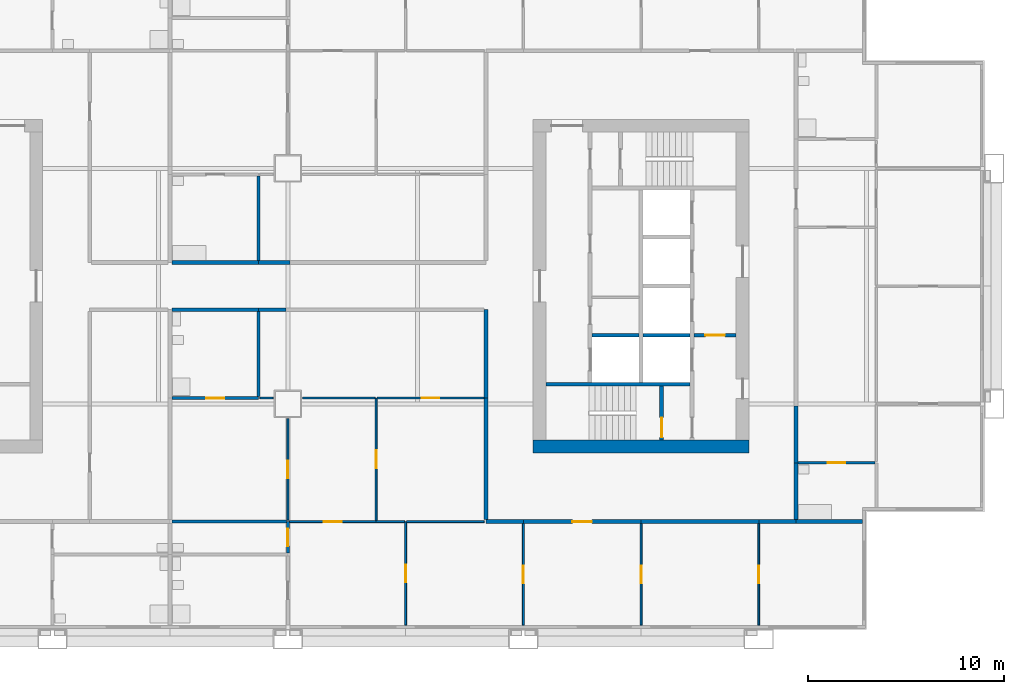
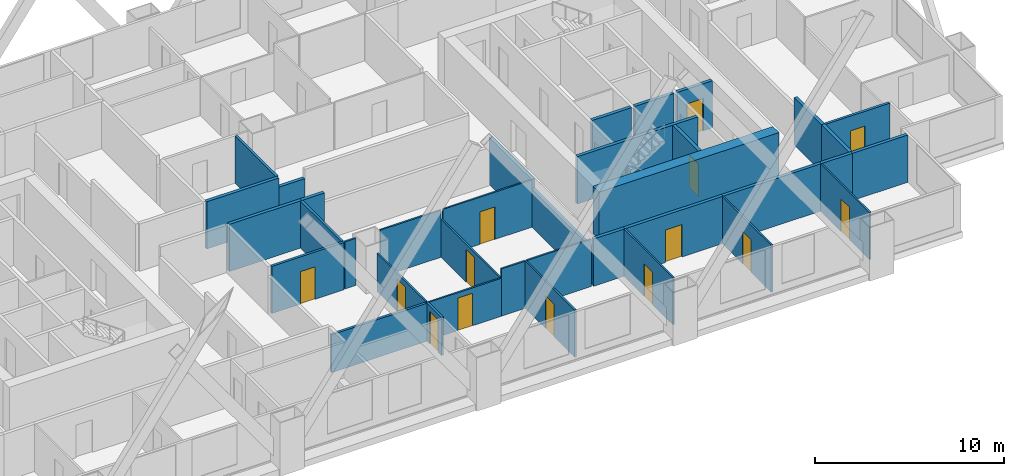
# One storey, part 5 of 11: 37 walls, 14 doors, 14 openings.
"""IFC4 building model written with IfcOpenShell, lengths in metres."""

from ifc_helpers import new_model, si_unit, direction, frame, frame_2d, origin, place, context, subcontext, project, spatial, rectangle, extrude, material, layer, layer_set, type_object, element, fill, save


model = new_model("IFC4")

# Units and contexts
model_context = context("Model", 3, precision=1e-05, world=origin(), true_north=direction((0.0, 1.0)))
body_context = subcontext(model_context, "Body", "Model", "MODEL_VIEW")
ifc_project = project(units=[si_unit("LENGTHUNIT", "METRE"), si_unit("AREAUNIT", "SQUARE_METRE"), si_unit("VOLUMEUNIT", "CUBIC_METRE"), si_unit("PLANEANGLEUNIT", "RADIAN"), si_unit("MASSUNIT", "GRAM", prefix="KILO")], contexts=[model_context])

# Site, building, storey
site_placement = place(None, origin())
site = spatial("IfcSite", under=ifc_project, at=site_placement, CompositionType="ELEMENT")
building_placement = place(site_placement, origin())
building = spatial("IfcBuilding", under=site, at=building_placement, Name="Kitamizu Gate Tower and Museum", CompositionType="ELEMENT")
storey_placement = place(building_placement, frame((0.0, 0.0, 113.85009765625)))
storey = spatial("IfcBuildingStorey", under=building, at=storey_placement, Name="L29", CompositionType="ELEMENT", Elevation=113.85009765625)

# Wall
ifc_material_1 = material(Name="Concrete Fc60", Category="concrete")
ifc_layer_1 = layer(ifc_material_1, 0.64990234375)
ifc_layer_set_1 = layer_set([ifc_layer_1], Name="Concrete Fc60")
wall_type_1 = type_object("IfcWallType", Name="Core wall 650", PredefinedType="SHEAR", material=ifc_layer_set_1)
wall_1_placement = place(storey_placement, frame((59.5, 21.824951171875, 0.0), z_axis=(0.0, 0.0, 1.0), x_axis=(-1.0, 0.0, 0.0)))
element("IfcWall", 1, at=wall_1_placement, inside=storey, type_object=wall_type_1, Name="Core wall ES", PredefinedType="SHEAR", context=body_context, shape_type="SweptSolid", body=[
    extrude(rectangle(XDim=11.0, YDim=0.64990234375, at=frame_2d((5.5, 0.0))), origin(), (0.0, 0.0, 1.0), 3.0498046875),
])

# Wall, opening, door
ifc_material_2 = material(Name="Gypsum board on galvanised stud")
ifc_layer_2 = layer(ifc_material_2, 0.10009765625)
ifc_layer_set_2 = layer_set([ifc_layer_2], Name="Gypsum board on galvanised stud")
wall_type_2 = type_object("IfcWallType", Name="Partition 100 NOT RATED", PredefinedType="PARTITIONING", material=ifc_layer_set_2)
wall_2_placement = place(storey_placement, frame((42.0, 12.719970703125, 0.0), z_axis=(0.0, 0.0, 1.0), x_axis=(0.0, 1.0, 0.0)))
wall_2 = element("IfcWall", 2, at=wall_2_placement, inside=storey, type_object=wall_type_2, Name="Partition L29-044", PredefinedType="PARTITIONING", context=body_context, shape_type="SweptSolid", body=[
    extrude(rectangle(XDim=5.280029296875, YDim=0.10009765625, at=frame_2d((2.64013671875, 0.0))), origin(), (0.0, 0.0, 1.0), 3.0498046875),
])
opening_1_placement = place(wall_2_placement, frame((2.18994140625, 0.0, 0.0)))
opening_1 = element("IfcOpeningElement", 3, at=opening_1_placement, cuts=wall_2, Name="Opening L29-017", PredefinedType="OPENING", context=body_context, shape_type="SweptSolid", body=[
    extrude(rectangle(XDim=0.89990234375, YDim=2.10009765625, at=frame_2d((0.449951171875, 1.050048828125))), frame((0.0, 0.06005859375, 0.0), z_axis=(0.0, -1.0, 0.0), x_axis=(1.0, 0.0, 0.0)), (0.0, 0.0, 1.0), 0.1201171875),
])
ifc_material_3 = material(Name="Timber door set", Category="wood")
door_type_1 = type_object("IfcDoorType", Name="Room door 900", OperationType="NOTDEFINED", PredefinedType="DOOR", material=ifc_material_3)
door_1_placement = place(opening_1_placement, origin())
door_1 = element("IfcDoor", 4, at=door_1_placement, inside=storey, type_object=door_type_1, Name="Door L29-017", OperationType="SINGLE_SWING_LEFT", OverallHeight=2.10009765625, OverallWidth=0.89990234375, PredefinedType="DOOR", context=body_context, shape_type="SweptSolid", body=[
    extrude(rectangle(XDim=0.89990234375, YDim=2.10009765625, at=frame_2d((0.449951171875, 1.050048828125))), frame((0.0, 0.02490234375, 0.0), z_axis=(0.0, -1.0, 0.0), x_axis=(1.0, 0.0, 0.0)), (0.0, 0.0, 1.0), 0.050048828125),
])
fill(opening_1, door_1)

wall_3_placement = place(storey_placement, frame((40.5, 18.0, 0.0), z_axis=(0.0, 0.0, 1.0), x_axis=(-1.0, 0.0, 0.0)))
wall_3 = element("IfcWall", 5, at=wall_3_placement, inside=storey, type_object=wall_type_2, Name="Partition L29-045", PredefinedType="PARTITIONING", context=body_context, shape_type="SweptSolid", body=[
    extrude(rectangle(XDim=4.425048828125, YDim=0.10009765625, at=frame_2d((2.21240234375, 0.0))), origin(), (0.0, 0.0, 1.0), 2.449951171875),
])
opening_2_placement = place(wall_3_placement, frame((1.762451171875, 0.0, 0.0)))
opening_2 = element("IfcOpeningElement", 6, at=opening_2_placement, cuts=wall_3, Name="Opening L29-019", PredefinedType="OPENING", context=body_context, shape_type="SweptSolid", body=[
    extrude(rectangle(XDim=0.89990234375, YDim=2.10009765625, at=frame_2d((0.449951171875, 1.050048828125))), frame((0.0, 0.06005859375, 0.0), z_axis=(0.0, -1.0, 0.0), x_axis=(1.0, 0.0, 0.0)), (0.0, 0.0, 1.0), 0.1201171875),
])
door_2_placement = place(opening_2_placement, frame((0.89990234375, 0.0, 0.0), x_axis=(-1.0, 0.0, 0.0)))
door_2 = element("IfcDoor", 7, at=door_2_placement, inside=storey, type_object=door_type_1, Name="Door L29-019", OperationType="SINGLE_SWING_RIGHT", OverallHeight=2.10009765625, OverallWidth=0.89990234375, PredefinedType="DOOR", context=body_context, shape_type="SweptSolid", body=[
    extrude(rectangle(XDim=0.89990234375, YDim=2.10009765625, at=frame_2d((0.449951171875, 1.050048828125))), frame((0.0, 0.02490234375, 0.0), z_axis=(0.0, -1.0, 0.0), x_axis=(1.0, 0.0, 0.0)), (0.0, 0.0, 1.0), 0.050048828125),
])
fill(opening_2, door_2)

# Wall
wall_4_placement = place(storey_placement, frame((41.949951171875, 18.0, 0.0), z_axis=(0.0, 0.0, 1.0), x_axis=(-1.0, 0.0, 0.0)))
element("IfcWall", 8, at=wall_4_placement, inside=storey, type_object=wall_type_2, Name="Partition L29-046", PredefinedType="PARTITIONING", context=body_context, shape_type="SweptSolid", body=[
    extrude(rectangle(XDim=1.449951171875, YDim=0.10009765625, at=frame_2d((0.72509765625, 0.0))), origin(), (0.0, 0.0, 1.0), 3.0498046875),
])

# Wall, opening, door
wall_5_placement = place(storey_placement, frame((48.0, 12.719970703125, 0.0), z_axis=(0.0, 0.0, 1.0), x_axis=(0.0, 1.0, 0.0)))
wall_5 = element("IfcWall", 9, at=wall_5_placement, inside=storey, type_object=wall_type_2, Name="Partition L29-047", PredefinedType="PARTITIONING", context=body_context, shape_type="SweptSolid", body=[
    extrude(rectangle(XDim=5.179931640625, YDim=0.10009765625, at=frame_2d((2.58984375, 0.0))), origin(), (0.0, 0.0, 1.0), 3.0498046875),
])
opening_3_placement = place(wall_5_placement, frame((2.139892578125, 0.0, 0.0)))
opening_3 = element("IfcOpeningElement", 10, at=opening_3_placement, cuts=wall_5, Name="Opening L29-015", PredefinedType="OPENING", context=body_context, shape_type="SweptSolid", body=[
    extrude(rectangle(XDim=0.89990234375, YDim=2.10009765625, at=frame_2d((0.449951171875, 1.050048828125))), frame((0.0, 0.06005859375, 0.0), z_axis=(0.0, -1.0, 0.0), x_axis=(1.0, 0.0, 0.0)), (0.0, 0.0, 1.0), 0.1201171875),
])
door_3_placement = place(opening_3_placement, origin())
door_3 = element("IfcDoor", 11, at=door_3_placement, inside=storey, type_object=door_type_1, Name="Door L29-015", OperationType="SINGLE_SWING_LEFT", OverallHeight=2.10009765625, OverallWidth=0.89990234375, PredefinedType="DOOR", context=body_context, shape_type="SweptSolid", body=[
    extrude(rectangle(XDim=0.89990234375, YDim=2.10009765625, at=frame_2d((0.449951171875, 1.050048828125))), frame((0.0, 0.02490234375, 0.0), z_axis=(0.0, -1.0, 0.0), x_axis=(1.0, 0.0, 0.0)), (0.0, 0.0, 1.0), 0.050048828125),
])
fill(opening_3, door_3)

# Wall
wall_6_placement = place(storey_placement, frame((46.0, 18.0, 0.0), z_axis=(0.0, 0.0, 1.0), x_axis=(-1.0, 0.0, 0.0)))
element("IfcWall", 12, at=wall_6_placement, inside=storey, type_object=wall_type_2, Name="Partition L29-048", PredefinedType="PARTITIONING", context=body_context, shape_type="SweptSolid", body=[
    extrude(rectangle(XDim=3.949951171875, YDim=0.10009765625, at=frame_2d((1.97509765625, 0.0))), origin(), (0.0, 0.0, 1.0), 3.0498046875),
])

# Wall, opening, door
wall_7_placement = place(storey_placement, frame((54.0, 12.719970703125, 0.0), z_axis=(0.0, 0.0, 1.0), x_axis=(0.0, 1.0, 0.0)))
wall_7 = element("IfcWall", 13, at=wall_7_placement, inside=storey, type_object=wall_type_2, Name="Partition L29-050", PredefinedType="PARTITIONING", context=body_context, shape_type="SweptSolid", body=[
    extrude(rectangle(XDim=5.179931640625, YDim=0.10009765625, at=frame_2d((2.58984375, 0.0))), origin(), (0.0, 0.0, 1.0), 3.0498046875),
])
opening_4_placement = place(wall_7_placement, frame((2.139892578125, 0.0, 0.0)))
opening_4 = element("IfcOpeningElement", 14, at=opening_4_placement, cuts=wall_7, Name="Opening L29-016", PredefinedType="OPENING", context=body_context, shape_type="SweptSolid", body=[
    extrude(rectangle(XDim=0.89990234375, YDim=2.10009765625, at=frame_2d((0.449951171875, 1.050048828125))), frame((0.0, 0.06005859375, 0.0), z_axis=(0.0, -1.0, 0.0), x_axis=(1.0, 0.0, 0.0)), (0.0, 0.0, 1.0), 0.1201171875),
])
door_4_placement = place(opening_4_placement, frame((0.89990234375, 0.0, 0.0), x_axis=(-1.0, 0.0, 0.0)))
door_4 = element("IfcDoor", 15, at=door_4_placement, inside=storey, type_object=door_type_1, Name="Door L29-016", OperationType="SINGLE_SWING_LEFT", OverallHeight=2.10009765625, OverallWidth=0.89990234375, PredefinedType="DOOR", context=body_context, shape_type="SweptSolid", body=[
    extrude(rectangle(XDim=0.89990234375, YDim=2.10009765625, at=frame_2d((0.449951171875, 1.050048828125))), frame((0.0, 0.02490234375, 0.0), z_axis=(0.0, -1.0, 0.0), x_axis=(1.0, 0.0, 0.0)), (0.0, 0.0, 1.0), 0.050048828125),
])
fill(opening_4, door_4)

wall_8_placement = place(storey_placement, frame((60.0, 12.719970703125, 0.0), z_axis=(0.0, 0.0, 1.0), x_axis=(0.0, 1.0, 0.0)))
wall_8 = element("IfcWall", 16, at=wall_8_placement, inside=storey, type_object=wall_type_2, Name="Partition L29-052", PredefinedType="PARTITIONING", context=body_context, shape_type="SweptSolid", body=[
    extrude(rectangle(XDim=5.179931640625, YDim=0.10009765625, at=frame_2d((2.58984375, 0.0))), origin(), (0.0, 0.0, 1.0), 3.0498046875),
])
opening_5_placement = place(wall_8_placement, frame((2.139892578125, 0.0, 0.0)))
opening_5 = element("IfcOpeningElement", 17, at=opening_5_placement, cuts=wall_8, Name="Opening L29-018", PredefinedType="OPENING", context=body_context, shape_type="SweptSolid", body=[
    extrude(rectangle(XDim=0.89990234375, YDim=2.10009765625, at=frame_2d((0.449951171875, 1.050048828125))), frame((0.0, 0.06005859375, 0.0), z_axis=(0.0, -1.0, 0.0), x_axis=(1.0, 0.0, 0.0)), (0.0, 0.0, 1.0), 0.1201171875),
])
door_5_placement = place(opening_5_placement, frame((0.89990234375, 0.0, 0.0), x_axis=(-1.0, 0.0, 0.0)))
door_5 = element("IfcDoor", 18, at=door_5_placement, inside=storey, type_object=door_type_1, Name="Door L29-018", OperationType="SINGLE_SWING_LEFT", OverallHeight=2.10009765625, OverallWidth=0.89990234375, PredefinedType="DOOR", context=body_context, shape_type="SweptSolid", body=[
    extrude(rectangle(XDim=0.89990234375, YDim=2.10009765625, at=frame_2d((0.449951171875, 1.050048828125))), frame((0.0, 0.02490234375, 0.0), z_axis=(0.0, -1.0, 0.0), x_axis=(1.0, 0.0, 0.0)), (0.0, 0.0, 1.0), 0.050048828125),
])
fill(opening_5, door_5)

wall_9_placement = place(storey_placement, frame((36.0, 18.074951171875, 0.0), z_axis=(0.0, 0.0, 1.0), x_axis=(0.0, 1.0, 0.0)))
wall_9 = element("IfcWall", 19, at=wall_9_placement, inside=storey, type_object=wall_type_2, Name="Partition L29-056", PredefinedType="PARTITIONING", context=body_context, shape_type="SweptSolid", body=[
    extrude(rectangle(XDim=5.175048828125, YDim=0.10009765625, at=frame_2d((2.58740234375, 0.0))), origin(), (0.0, 0.0, 1.0), 2.449951171875),
])
opening_6_placement = place(wall_9_placement, frame((2.137451171875, 0.0, 0.0)))
opening_6 = element("IfcOpeningElement", 20, at=opening_6_placement, cuts=wall_9, Name="Opening L29-024", PredefinedType="OPENING", context=body_context, shape_type="SweptSolid", body=[
    extrude(rectangle(XDim=0.89990234375, YDim=2.10009765625, at=frame_2d((0.449951171875, 1.050048828125))), frame((0.0, 0.06005859375, 0.0), z_axis=(0.0, -1.0, 0.0), x_axis=(1.0, 0.0, 0.0)), (0.0, 0.0, 1.0), 0.1201171875),
])
door_6_placement = place(opening_6_placement, frame((0.89990234375, 0.0, 0.0), x_axis=(-1.0, 0.0, 0.0)))
door_6 = element("IfcDoor", 21, at=door_6_placement, inside=storey, type_object=door_type_1, Name="Door L29-024", OperationType="SINGLE_SWING_LEFT", OverallHeight=2.10009765625, OverallWidth=0.89990234375, PredefinedType="DOOR", context=body_context, shape_type="SweptSolid", body=[
    extrude(rectangle(XDim=0.89990234375, YDim=2.10009765625, at=frame_2d((0.449951171875, 1.050048828125))), frame((0.0, 0.02490234375, 0.0), z_axis=(0.0, -1.0, 0.0), x_axis=(1.0, 0.0, 0.0)), (0.0, 0.0, 1.0), 0.050048828125),
])
fill(opening_6, door_6)

# Wall
wall_10_placement = place(storey_placement, frame((35.25, 24.300048828125, 0.0), z_axis=(0.0, 0.0, 1.0), x_axis=(-1.0, 0.0, 0.0)))
element("IfcWall", 22, at=wall_10_placement, inside=storey, type_object=wall_type_2, Name="Partition L29-058", PredefinedType="PARTITIONING", context=body_context, shape_type="SweptSolid", body=[
    extrude(rectangle(XDim=0.675048828125, YDim=0.10009765625, at=frame_2d((0.33740234375, 0.0))), origin(), (0.0, 0.0, 1.0), 3.0498046875),
])

# Wall, opening, door
wall_11_placement = place(storey_placement, frame((40.5, 18.050048828125, 0.0), z_axis=(0.0, 0.0, 1.0), x_axis=(0.0, 1.0, 0.0)))
wall_11 = element("IfcWall", 23, at=wall_11_placement, inside=storey, type_object=wall_type_2, Name="Partition L29-059", PredefinedType="PARTITIONING", context=body_context, shape_type="SweptSolid", body=[
    extrude(rectangle(XDim=6.25, YDim=0.10009765625, at=frame_2d((3.125, 0.0))), origin(), (0.0, 0.0, 1.0), 2.449951171875),
])
opening_7_placement = place(wall_11_placement, frame((2.675048828125, 0.0, 0.0)))
opening_7 = element("IfcOpeningElement", 24, at=opening_7_placement, cuts=wall_11, Name="Opening L29-020", PredefinedType="OPENING", context=body_context, shape_type="SweptSolid", body=[
    extrude(rectangle(XDim=0.89990234375, YDim=2.10009765625, at=frame_2d((0.449951171875, 1.050048828125))), frame((0.0, 0.06005859375, 0.0), z_axis=(0.0, -1.0, 0.0), x_axis=(1.0, 0.0, 0.0)), (0.0, 0.0, 1.0), 0.1201171875),
])
door_7_placement = place(opening_7_placement, origin())
door_7 = element("IfcDoor", 25, at=door_7_placement, inside=storey, type_object=door_type_1, Name="Door L29-020", OperationType="SINGLE_SWING_RIGHT", OverallHeight=2.10009765625, OverallWidth=0.89990234375, PredefinedType="DOOR", context=body_context, shape_type="SweptSolid", body=[
    extrude(rectangle(XDim=0.89990234375, YDim=2.10009765625, at=frame_2d((0.449951171875, 1.050048828125))), frame((0.0, 0.02490234375, 0.0), z_axis=(0.0, -1.0, 0.0), x_axis=(1.0, 0.0, 0.0)), (0.0, 0.0, 1.0), 0.050048828125),
])
fill(opening_7, door_7)

# Wall
wall_12_placement = place(storey_placement, frame((40.449951171875, 24.300048828125, 0.0), z_axis=(0.0, 0.0, 1.0), x_axis=(-1.0, 0.0, 0.0)))
element("IfcWall", 26, at=wall_12_placement, inside=storey, type_object=wall_type_2, Name="Partition L29-060", PredefinedType="PARTITIONING", context=body_context, shape_type="SweptSolid", body=[
    extrude(rectangle(XDim=3.699951171875, YDim=0.10009765625, at=frame_2d((1.85009765625, 0.0))), origin(), (0.0, 0.0, 1.0), 3.0498046875),
])

# Wall, opening, door
wall_13_placement = place(storey_placement, frame((46.0, 24.300048828125, 0.0), z_axis=(0.0, 0.0, 1.0), x_axis=(-1.0, 0.0, 0.0)))
wall_13 = element("IfcWall", 27, at=wall_13_placement, inside=storey, type_object=wall_type_2, Name="Partition L29-061", PredefinedType="PARTITIONING", context=body_context, shape_type="SweptSolid", body=[
    extrude(rectangle(XDim=5.449951171875, YDim=0.10009765625, at=frame_2d((2.72509765625, 0.0))), origin(), (0.0, 0.0, 1.0), 3.0498046875),
])
opening_8_placement = place(wall_13_placement, frame((2.27490234375, 0.0, 0.0)))
opening_8 = element("IfcOpeningElement", 28, at=opening_8_placement, cuts=wall_13, Name="Opening L29-021", PredefinedType="OPENING", context=body_context, shape_type="SweptSolid", body=[
    extrude(rectangle(XDim=0.89990234375, YDim=2.10009765625, at=frame_2d((0.449951171875, 1.050048828125))), frame((0.0, 0.06005859375, 0.0), z_axis=(0.0, -1.0, 0.0), x_axis=(1.0, 0.0, 0.0)), (0.0, 0.0, 1.0), 0.1201171875),
])
door_8_placement = place(opening_8_placement, origin())
door_8 = element("IfcDoor", 29, at=door_8_placement, inside=storey, type_object=door_type_1, Name="Door L29-021", OperationType="SINGLE_SWING_LEFT", OverallHeight=2.10009765625, OverallWidth=0.89990234375, PredefinedType="DOOR", context=body_context, shape_type="SweptSolid", body=[
    extrude(rectangle(XDim=0.89990234375, YDim=2.10009765625, at=frame_2d((0.449951171875, 1.050048828125))), frame((0.0, 0.02490234375, 0.0), z_axis=(0.0, -1.0, 0.0), x_axis=(1.0, 0.0, 0.0)), (0.0, 0.0, 1.0), 0.050048828125),
])
fill(opening_8, door_8)

ifc_material_4 = material(Name="Gypsum board on galvanised stud")
ifc_layer_3 = layer(ifc_material_4, 0.14990234375)
ifc_layer_set_3 = layer_set([ifc_layer_3], Name="Gypsum board on galvanised stud")
wall_type_3 = type_object("IfcWallType", Name="Partition 150", PredefinedType="PARTITIONING", material=ifc_layer_set_3)
wall_14_placement = place(storey_placement, frame((36.0, 16.39501953125, 0.0), z_axis=(0.0, 0.0, 1.0), x_axis=(0.0, 1.0, 0.0)))
wall_14 = element("IfcWall", 30, at=wall_14_placement, inside=storey, type_object=wall_type_3, Name="Partition L29-042", PredefinedType="PARTITIONING", context=body_context, shape_type="SweptSolid", body=[
    extrude(rectangle(XDim=1.60498046875, YDim=0.14990234375, at=frame_2d((0.802490234375, 0.0))), origin(), (0.0, 0.0, 1.0), 2.449951171875),
])
opening_9_placement = place(wall_14_placement, frame((0.3525390625, 0.0, 0.0)))
opening_9 = element("IfcOpeningElement", 31, at=opening_9_placement, cuts=wall_14, Name="Opening L29-023", PredefinedType="OPENING", context=body_context, shape_type="SweptSolid", body=[
    extrude(rectangle(XDim=0.89990234375, YDim=2.10009765625, at=frame_2d((0.449951171875, 1.050048828125))), frame((0.0, 0.0849609375, 0.0), z_axis=(0.0, -1.0, 0.0), x_axis=(1.0, 0.0, 0.0)), (0.0, 0.0, 1.0), 0.169921875),
])
ifc_material_5 = material(Name="Timber door set", Category="wood")
door_type_2 = type_object("IfcDoorType", Name="Bathroom door 900", OperationType="NOTDEFINED", PredefinedType="DOOR", material=ifc_material_5)
door_9_placement = place(opening_9_placement, origin())
door_9 = element("IfcDoor", 32, at=door_9_placement, inside=storey, type_object=door_type_2, Name="Bathroom door L29-023", OperationType="SINGLE_SWING_LEFT", OverallHeight=2.10009765625, OverallWidth=0.89990234375, PredefinedType="DOOR", context=body_context, shape_type="SweptSolid", body=[
    extrude(rectangle(XDim=0.89990234375, YDim=2.10009765625, at=frame_2d((0.449951171875, 1.050048828125))), frame((0.0, 0.02490234375, 0.0), z_axis=(0.0, -1.0, 0.0), x_axis=(1.0, 0.0, 0.0)), (0.0, 0.0, 1.0), 0.050048828125),
])
fill(opening_9, door_9)

# Wall
wall_15_placement = place(storey_placement, frame((35.925048828125, 18.0, 0.0), z_axis=(0.0, 0.0, 1.0), x_axis=(-1.0, 0.0, 0.0)))
element("IfcWall", 33, at=wall_15_placement, inside=storey, type_object=wall_type_3, Name="Partition L29-043", PredefinedType="PARTITIONING", context=body_context, shape_type="SweptSolid", body=[
    extrude(rectangle(XDim=5.824951171875, YDim=0.14990234375, at=frame_2d((2.91259765625, 0.0))), origin(), (0.0, 0.0, 1.0), 2.449951171875),
])

# Wall, opening, door
wall_16_placement = place(storey_placement, frame((34.5, 24.300048828125, 0.0), z_axis=(0.0, 0.0, 1.0), x_axis=(-1.0, 0.0, 0.0)))
wall_16 = element("IfcWall", 34, at=wall_16_placement, inside=storey, type_object=wall_type_3, Name="Partition L29-057", PredefinedType="PARTITIONING", context=body_context, shape_type="SweptSolid", body=[
    extrude(rectangle(XDim=4.39990234375, YDim=0.14990234375, at=frame_2d((2.199951171875, 0.0))), origin(), (0.0, 0.0, 1.0), 3.0498046875),
])
opening_10_placement = place(wall_16_placement, frame((1.75, 0.0, 0.0)))
opening_10 = element("IfcOpeningElement", 35, at=opening_10_placement, cuts=wall_16, Name="Opening L29-025", PredefinedType="OPENING", context=body_context, shape_type="SweptSolid", body=[
    extrude(rectangle(XDim=0.89990234375, YDim=2.10009765625, at=frame_2d((0.449951171875, 1.050048828125))), frame((0.0, 0.0849609375, 0.0), z_axis=(0.0, -1.0, 0.0), x_axis=(1.0, 0.0, 0.0)), (0.0, 0.0, 1.0), 0.169921875),
])
door_10_placement = place(opening_10_placement, frame((0.89990234375, 0.0, 0.0), x_axis=(-1.0, 0.0, 0.0)))
door_10 = element("IfcDoor", 36, at=door_10_placement, inside=storey, type_object=door_type_2, Name="Bathroom door L29-025", OperationType="SINGLE_SWING_RIGHT", OverallHeight=2.10009765625, OverallWidth=0.89990234375, PredefinedType="DOOR", context=body_context, shape_type="SweptSolid", body=[
    extrude(rectangle(XDim=0.89990234375, YDim=2.10009765625, at=frame_2d((0.449951171875, 1.050048828125))), frame((0.0, 0.02490234375, 0.0), z_axis=(0.0, -1.0, 0.0), x_axis=(1.0, 0.0, 0.0)), (0.0, 0.0, 1.0), 0.050048828125),
])
fill(opening_10, door_10)

# Wall
wall_17_placement = place(storey_placement, frame((34.5, 24.375, 0.0), z_axis=(0.0, 0.0, 1.0), x_axis=(0.0, 1.0, 0.0)))
element("IfcWall", 37, at=wall_17_placement, inside=storey, type_object=wall_type_3, Name="Partition L29-063", PredefinedType="PARTITIONING", context=body_context, shape_type="SweptSolid", body=[
    extrude(rectangle(XDim=4.324951171875, YDim=0.14990234375, at=frame_2d((2.16259765625, 0.0))), origin(), (0.0, 0.0, 1.0), 3.0498046875),
])

# Wall, opening, door
wall_18_placement = place(storey_placement, frame((65.925048828125, 21.0, 0.0), z_axis=(0.0, 0.0, 1.0), x_axis=(-1.0, 0.0, 0.0)))
wall_18 = element("IfcWall", 38, at=wall_18_placement, inside=storey, type_object=wall_type_3, Name="Partition L29-078", PredefinedType="PARTITIONING", context=body_context, shape_type="SweptSolid", body=[
    extrude(rectangle(XDim=3.925048828125, YDim=0.14990234375, at=frame_2d((1.96240234375, 0.0))), origin(), (0.0, 0.0, 1.0), 3.0498046875),
])
opening_11_placement = place(wall_18_placement, frame((1.512451171875, 0.0, 0.0)))
opening_11 = element("IfcOpeningElement", 39, at=opening_11_placement, cuts=wall_18, Name="Opening L29-033", PredefinedType="OPENING", context=body_context, shape_type="SweptSolid", body=[
    extrude(rectangle(XDim=0.89990234375, YDim=2.10009765625, at=frame_2d((0.449951171875, 1.050048828125))), frame((0.0, 0.0849609375, 0.0), z_axis=(0.0, -1.0, 0.0), x_axis=(1.0, 0.0, 0.0)), (0.0, 0.0, 1.0), 0.169921875),
])
door_11_placement = place(opening_11_placement, origin())
door_11 = element("IfcDoor", 40, at=door_11_placement, inside=storey, type_object=door_type_2, Name="Bathroom door L29-033", OperationType="SINGLE_SWING_RIGHT", OverallHeight=2.10009765625, OverallWidth=0.89990234375, PredefinedType="DOOR", context=body_context, shape_type="SweptSolid", body=[
    extrude(rectangle(XDim=0.89990234375, YDim=2.10009765625, at=frame_2d((0.449951171875, 1.050048828125))), frame((0.0, 0.02490234375, 0.0), z_axis=(0.0, -1.0, 0.0), x_axis=(1.0, 0.0, 0.0)), (0.0, 0.0, 1.0), 0.050048828125),
])
fill(opening_11, door_11)

# Walls
wall_19_placement = place(storey_placement, frame((34.5, 31.300048828125, 0.0), z_axis=(0.0, 0.0, 1.0), x_axis=(0.0, 1.0, 0.0)))
element("IfcWall", 41, at=wall_19_placement, inside=storey, type_object=wall_type_3, Name="Partition L29-131", PredefinedType="PARTITIONING", context=body_context, shape_type="SweptSolid", body=[
    extrude(rectangle(XDim=4.324951171875, YDim=0.14990234375, at=frame_2d((2.16259765625, 0.0))), origin(), (0.0, 0.0, 1.0), 3.0498046875),
])
ifc_material_6 = material(Name="Gypsum board on galvanised stud")
ifc_layer_4 = layer(ifc_material_6, 0.199951171875)
ifc_layer_set_4 = layer_set([ifc_layer_4], Name="Gypsum board on galvanised stud")
wall_type_4 = type_object("IfcWallType", Name="Partition 200", PredefinedType="PARTITIONING", material=ifc_layer_set_4)
wall_20_placement = place(storey_placement, frame((48.0, 18.0, 0.0), z_axis=(0.0, 0.0, 1.0), x_axis=(-1.0, 0.0, 0.0)))
element("IfcWall", 42, at=wall_20_placement, inside=storey, type_object=wall_type_4, Name="Partition L29-049", PredefinedType="PARTITIONING", context=body_context, shape_type="SweptSolid", body=[
    extrude(rectangle(XDim=1.89990234375, YDim=0.199951171875, at=frame_2d((0.949951171875, 0.0))), origin(), (0.0, 0.0, 1.0), 3.0498046875),
])

# Wall, opening, door
wall_21_placement = place(storey_placement, frame((54.0, 18.0, 0.0), z_axis=(0.0, 0.0, 1.0), x_axis=(-1.0, 0.0, 0.0)))
wall_21 = element("IfcWall", 43, at=wall_21_placement, inside=storey, type_object=wall_type_4, Name="Partition L29-051", PredefinedType="PARTITIONING", context=body_context, shape_type="SweptSolid", body=[
    extrude(rectangle(XDim=6.0, YDim=0.199951171875, at=frame_2d((3.0, 0.0))), origin(), (0.0, 0.0, 1.0), 3.0498046875),
])
opening_12_placement = place(wall_21_placement, frame((2.5, 0.0, 0.0)))
opening_12 = element("IfcOpeningElement", 44, at=opening_12_placement, cuts=wall_21, Name="Opening L29-014", PredefinedType="OPENING", context=body_context, shape_type="SweptSolid", body=[
    extrude(rectangle(XDim=1.0, YDim=2.10009765625, at=frame_2d((0.5, 1.050048828125))), frame((0.0, 0.10986328125, 0.0), z_axis=(0.0, -1.0, 0.0), x_axis=(1.0, 0.0, 0.0)), (0.0, 0.0, 1.0), 0.219970703125),
])
ifc_material_7 = material(Name="Timber door set", Category="wood")
door_type_3 = type_object("IfcDoorType", Name="Flat entrance door 1000", OperationType="NOTDEFINED", PredefinedType="DOOR", material=ifc_material_7)
door_12_placement = place(opening_12_placement, origin())
door_12 = element("IfcDoor", 45, at=door_12_placement, inside=storey, type_object=door_type_3, Name="Flat entrance door L29-014", OperationType="SINGLE_SWING_RIGHT", OverallHeight=2.10009765625, OverallWidth=1.0, PredefinedType="DOOR", context=body_context, shape_type="SweptSolid", body=[
    extrude(rectangle(XDim=1.0, YDim=2.10009765625, at=frame_2d((0.5, 1.050048828125))), frame((0.0, 0.02490234375, 0.0), z_axis=(0.0, -1.0, 0.0), x_axis=(1.0, 0.0, 0.0)), (0.0, 0.0, 1.0), 0.050048828125),
])
fill(opening_12, door_12)

# Walls
wall_22_placement = place(storey_placement, frame((60.0, 18.0, 0.0), z_axis=(0.0, 0.0, 1.0), x_axis=(-1.0, 0.0, 0.0)))
element("IfcWall", 46, at=wall_22_placement, inside=storey, type_object=wall_type_4, Name="Partition L29-053", PredefinedType="PARTITIONING", context=body_context, shape_type="SweptSolid", body=[
    extrude(rectangle(XDim=6.0, YDim=0.199951171875, at=frame_2d((3.0, 0.0))), origin(), (0.0, 0.0, 1.0), 3.0498046875),
])
wall_23_placement = place(storey_placement, frame((65.280029296875, 18.0, 0.0), z_axis=(0.0, 0.0, 1.0), x_axis=(-1.0, 0.0, 0.0)))
element("IfcWall", 47, at=wall_23_placement, inside=storey, type_object=wall_type_4, Name="Partition L29-054", PredefinedType="PARTITIONING", context=body_context, shape_type="SweptSolid", body=[
    extrude(rectangle(XDim=3.380126953125, YDim=0.199951171875, at=frame_2d((1.68994140625, 0.0))), origin(), (0.0, 0.0, 1.0), 3.0498046875),
])
wall_24_placement = place(storey_placement, frame((61.89990234375, 18.0, 0.0), z_axis=(0.0, 0.0, 1.0), x_axis=(-1.0, 0.0, 0.0)))
element("IfcWall", 48, at=wall_24_placement, inside=storey, type_object=wall_type_4, Name="Partition L29-055", PredefinedType="PARTITIONING", context=body_context, shape_type="SweptSolid", body=[
    extrude(rectangle(XDim=1.89990234375, YDim=0.199951171875, at=frame_2d((0.949951171875, 0.0))), origin(), (0.0, 0.0, 1.0), 3.0498046875),
])
wall_25_placement = place(storey_placement, frame((46.10009765625, 18.10009765625, 0.0), z_axis=(0.0, 0.0, 1.0), x_axis=(0.0, 1.0, 0.0)))
element("IfcWall", 49, at=wall_25_placement, inside=storey, type_object=wall_type_4, Name="Partition L29-062", PredefinedType="PARTITIONING", context=body_context, shape_type="SweptSolid", body=[
    extrude(rectangle(XDim=6.199951171875, YDim=0.199951171875, at=frame_2d((3.10009765625, 0.0))), origin(), (0.0, 0.0, 1.0), 2.449951171875),
])
wall_26_placement = place(storey_placement, frame((34.5, 28.800048828125, 0.0), z_axis=(0.0, 0.0, 1.0), x_axis=(-1.0, 0.0, 0.0)))
element("IfcWall", 50, at=wall_26_placement, inside=storey, type_object=wall_type_4, Name="Partition L29-064", PredefinedType="PARTITIONING", context=body_context, shape_type="SweptSolid", body=[
    extrude(rectangle(XDim=4.39990234375, YDim=0.199951171875, at=frame_2d((2.199951171875, 0.0))), origin(), (0.0, 0.0, 1.0), 3.0498046875),
])
wall_27_placement = place(storey_placement, frame((46.10009765625, 24.300048828125, 0.0), z_axis=(0.0, 0.0, 1.0), x_axis=(0.0, 1.0, 0.0)))
element("IfcWall", 51, at=wall_27_placement, inside=storey, type_object=wall_type_4, Name="Partition L29-065", PredefinedType="PARTITIONING", context=body_context, shape_type="SweptSolid", body=[
    extrude(rectangle(XDim=4.5, YDim=0.199951171875, at=frame_2d((2.25, 0.0))), origin(), (0.0, 0.0, 1.0), 3.0498046875),
])
wall_28_placement = place(storey_placement, frame((35.89990234375, 28.800048828125, 0.0), z_axis=(0.0, 0.0, 1.0), x_axis=(-1.0, 0.0, 0.0)))
element("IfcWall", 52, at=wall_28_placement, inside=storey, type_object=wall_type_4, Name="Partition L29-067", PredefinedType="PARTITIONING", context=body_context, shape_type="SweptSolid", body=[
    extrude(rectangle(XDim=1.39990234375, YDim=0.199951171875, at=frame_2d((0.699951171875, 0.0))), origin(), (0.0, 0.0, 1.0), 3.0498046875),
])
for number, where, z_axis, x_axis, name in (
    (53, (61.89990234375, 21.0, 0.0), (0.0, 0.0, 1.0), (0.0, -1.0, 0.0), "Partition L29-079"),
    (54, (61.89990234375, 23.89990234375, 0.0), (0.0, 0.0, 1.0), (0.0, -1.0, 0.0), "Partition L29-082"),
):
    element("IfcWall", number, at=place(storey_placement, frame(where, z_axis=z_axis, x_axis=x_axis)), inside=storey, type_object=wall_type_4, Name=name, PredefinedType="PARTITIONING", context=body_context, shape_type="SweptSolid", body=[
        extrude(rectangle(XDim=2.89990234375, YDim=0.199951171875, at=frame_2d((1.449951171875, 0.0))), origin(), (0.0, 0.0, 1.0), 3.0498046875),
    ])
wall_29_placement = place(storey_placement, frame((30.10009765625, 31.199951171875, 0.0), z_axis=(0.0, 0.0, 1.0), x_axis=(1.0, 0.0, 0.0)))
element("IfcWall", 55, at=wall_29_placement, inside=storey, type_object=wall_type_4, Name="Partition L29-132", PredefinedType="PARTITIONING", context=body_context, shape_type="SweptSolid", body=[
    extrude(rectangle(XDim=4.39990234375, YDim=0.199951171875, at=frame_2d((2.199951171875, 0.0))), origin(), (0.0, 0.0, 1.0), 3.0498046875),
])
wall_30_placement = place(storey_placement, frame((34.5, 31.199951171875, 0.0), z_axis=(0.0, 0.0, 1.0), x_axis=(1.0, 0.0, 0.0)))
element("IfcWall", 56, at=wall_30_placement, inside=storey, type_object=wall_type_4, Name="Partition L29-133", PredefinedType="PARTITIONING", context=body_context, shape_type="SweptSolid", body=[
    extrude(rectangle(XDim=1.60009765625, YDim=0.199951171875, at=frame_2d((0.800048828125, 0.0))), origin(), (0.0, 0.0, 1.0), 2.449951171875),
])
ifc_material_8 = material(Name="Concrete Fc42", Category="concrete")
ifc_layer_5 = layer(ifc_material_8, 0.199951171875)
ifc_layer_set_5 = layer_set([ifc_layer_5], Name="Concrete Fc42")
wall_type_5 = type_object("IfcWallType", Name="Shaft wall 200", PredefinedType="SOLIDWALL", material=ifc_layer_set_5)
wall_31_placement = place(storey_placement, frame((56.5, 25.0, 0.0), z_axis=(0.0, 0.0, 1.0), x_axis=(-1.0, 0.0, 0.0)))
element("IfcWall", 57, at=wall_31_placement, inside=storey, type_object=wall_type_5, Name="Shaft wall ESB", PredefinedType="SOLIDWALL", context=body_context, shape_type="SweptSolid", body=[
    extrude(rectangle(XDim=7.35009765625, YDim=0.199951171875, at=frame_2d((3.675048828125, 0.0))), origin(), (0.0, 0.0, 1.0), 3.0498046875),
])

# Wall, opening, door
wall_32_placement = place(storey_placement, frame((58.85009765625, 27.5, 0.0), z_axis=(0.0, 0.0, 1.0), x_axis=(-1.0, 0.0, 0.0)))
wall_32 = element("IfcWall", 58, at=wall_32_placement, inside=storey, type_object=wall_type_5, Name="Shaft wall EFFN", PredefinedType="SOLIDWALL", context=body_context, shape_type="SweptSolid", body=[
    extrude(rectangle(XDim=2.150146484375, YDim=0.199951171875, at=frame_2d((1.0751953125, 0.0))), origin(), (0.0, 0.0, 1.0), 3.0498046875),
])
opening_13_placement = place(wall_32_placement, frame((0.574951171875, 0.0, 0.0)))
opening_13 = element("IfcOpeningElement", 59, at=opening_13_placement, cuts=wall_32, Name="Opening L29-068", PredefinedType="OPENING", context=body_context, shape_type="SweptSolid", body=[
    extrude(rectangle(XDim=1.0, YDim=2.10009765625, at=frame_2d((0.5, 1.050048828125))), frame((0.0, 0.10986328125, 0.0), z_axis=(0.0, -1.0, 0.0), x_axis=(1.0, 0.0, 0.0)), (0.0, 0.0, 1.0), 0.219970703125),
])
ifc_material_9 = material(Name="Hollow metal door set")
door_type_4 = type_object("IfcDoorType", Name="Fire door 1000", OperationType="NOTDEFINED", PredefinedType="DOOR", material=ifc_material_9)
door_13_placement = place(opening_13_placement, origin())
door_13 = element("IfcDoor", 60, at=door_13_placement, inside=storey, type_object=door_type_4, Name="Fire-fighting lobby door L29-068", OperationType="SINGLE_SWING_RIGHT", OverallHeight=2.10009765625, OverallWidth=1.0, PredefinedType="DOOR", context=body_context, shape_type="SweptSolid", body=[
    extrude(rectangle(XDim=1.0, YDim=2.10009765625, at=frame_2d((0.5, 1.050048828125))), frame((0.0, 0.02490234375, 0.0), z_axis=(0.0, -1.0, 0.0), x_axis=(1.0, 0.0, 0.0)), (0.0, 0.0, 1.0), 0.050048828125),
])
fill(opening_13, door_13)

wall_33_placement = place(storey_placement, frame((55.050048828125, 22.14990234375, 0.0), z_axis=(0.0, 0.0, 1.0), x_axis=(0.0, 1.0, 0.0)))
wall_33 = element("IfcWall", 61, at=wall_33_placement, inside=storey, type_object=wall_type_5, Name="Shaft wall ESZ", PredefinedType="SOLIDWALL", context=body_context, shape_type="SweptSolid", body=[
    extrude(rectangle(XDim=2.75, YDim=0.199951171875, at=frame_2d((1.375, 0.0))), origin(), (0.0, 0.0, 1.0), 3.0498046875),
])
opening_14_placement = place(wall_33_placement, frame((0.14990234375, 0.0, 0.0)))
opening_14 = element("IfcOpeningElement", 62, at=opening_14_placement, cuts=wall_33, Name="Opening L29-064", PredefinedType="OPENING", context=body_context, shape_type="SweptSolid", body=[
    extrude(rectangle(XDim=1.0, YDim=2.10009765625, at=frame_2d((0.5, 1.050048828125))), frame((0.0, 0.10986328125, 0.0), z_axis=(0.0, -1.0, 0.0), x_axis=(1.0, 0.0, 0.0)), (0.0, 0.0, 1.0), 0.219970703125),
])
door_14_placement = place(opening_14_placement, origin())
door_14 = element("IfcDoor", 63, at=door_14_placement, inside=storey, type_object=door_type_4, Name="Stair door L29-064", OperationType="SINGLE_SWING_RIGHT", OverallHeight=2.10009765625, OverallWidth=1.0, PredefinedType="DOOR", context=body_context, shape_type="SweptSolid", body=[
    extrude(rectangle(XDim=1.0, YDim=2.10009765625, at=frame_2d((0.5, 1.050048828125))), frame((0.0, 0.02490234375, 0.0), z_axis=(0.0, -1.0, 0.0), x_axis=(1.0, 0.0, 0.0)), (0.0, 0.0, 1.0), 0.050048828125),
])
fill(opening_14, door_14)

# Walls
for number, where, z_axis, x_axis, name in (
    (64, (56.5, 27.5, 0.0), (0.0, 0.0, 1.0), (-1.0, 0.0, 0.0), "Shaft wall EDVW0"),
    (65, (53.89990234375, 27.5, 0.0), (0.0, 0.0, 1.0), (-1.0, 0.0, 0.0), "Shaft wall EDVE0"),
):
    element("IfcWall", number, at=place(storey_placement, frame(where, z_axis=z_axis, x_axis=x_axis)), inside=storey, type_object=wall_type_5, Name=name, PredefinedType="SOLIDWALL", context=body_context, shape_type="SweptSolid", body=[
        extrude(rectangle(XDim=2.39990234375, YDim=0.199951171875, at=frame_2d((1.199951171875, 0.0))), origin(), (0.0, 0.0, 1.0), 3.0498046875),
    ])

save(model, "model.ifc")
